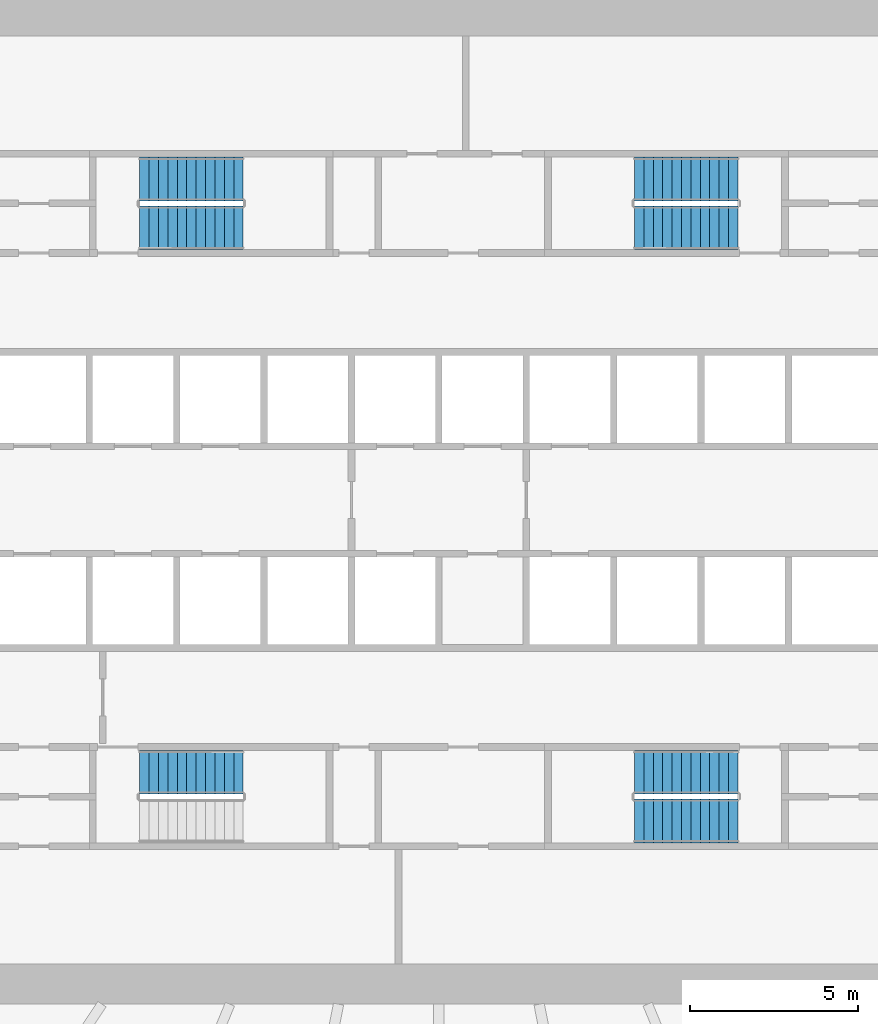
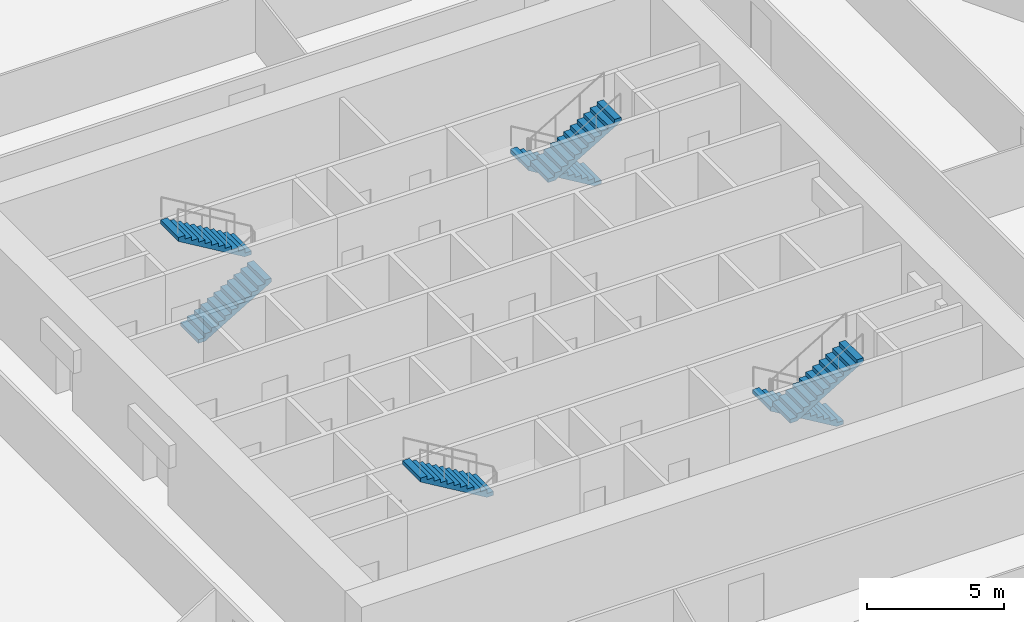
# One storey, part 14 of 15: 7 stair flights, 4 elements without a shape of their own.
"""IFC4 building model written with IfcOpenShell, lengths in metres."""

from ifc_helpers import new_model, si_unit, direction, frame, origin, place, context, subcontext, project, spatial, polyline, outline, extrude, material, type_object, element, aggregate, save


model = new_model("IFC4")

# Units and contexts
model_context = context("Model", 3, precision=1e-05, world=origin(), true_north=direction((0.0, 1.0)))
body_context = subcontext(model_context, "Body", "Model", "MODEL_VIEW")
ifc_project = project(units=[si_unit("LENGTHUNIT", "METRE"), si_unit("AREAUNIT", "SQUARE_METRE"), si_unit("VOLUMEUNIT", "CUBIC_METRE"), si_unit("PLANEANGLEUNIT", "RADIAN"), si_unit("MASSUNIT", "GRAM", prefix="KILO")], contexts=[model_context])

# Site, building, storey
site_placement = place(None, origin())
site = spatial("IfcSite", under=ifc_project, at=site_placement, CompositionType="ELEMENT")
building_placement = place(site_placement, origin())
building = spatial("IfcBuilding", under=site, at=building_placement, Name="Corvane Civic Tower", CompositionType="ELEMENT")
storey_placement = place(building_placement, frame((0.0, 0.0, 41.0)))
storey = spatial("IfcBuildingStorey", under=building, at=storey_placement, Name="L08", CompositionType="ELEMENT", Elevation=41.0)

# Stair, stair flights
ifc_material_1 = material(Name="Concrete C40/50", Category="concrete")
stair_type = type_object("IfcStairType", Name="ST-STAIR-HALFTURN", PredefinedType="HALF_TURN_STAIR", material=ifc_material_1)
stair_1_placement = place(storey_placement, origin())
stair_1 = element("IfcStair", 1, at=stair_1_placement, inside=storey, type_object=stair_type, Name="L08 Exit stair ST1", PredefinedType="HALF_TURN_STAIR")
ifc_material_2 = material(Name="Concrete C40/50", Category="concrete")
stair_flight_type = type_object("IfcStairFlightType", Name="ST-FLIGHT-RC", PredefinedType="STRAIGHT", material=ifc_material_2)
stair_flight_1_placement = place(storey_placement, frame((8.89990234375, 9.550048828125, 0.0), z_axis=(0.0, 0.0, 1.0), x_axis=(-1.0, 0.0, 0.0)))
stair_flight_1 = element("IfcStairFlight", 2, at=stair_flight_1_placement, type_object=stair_flight_type, Name="ST1 flight 1", NumberOfRisers=12, NumberOfTreads=11, PredefinedType="STRAIGHT", RiserHeight=0.166666667, TreadLength=0.28, context=body_context, shape_type="SweptSolid", body=[
    extrude(outline(polyline([(0.0, 0.0), (0.0, 0.166748046875), (0.280029296875, 0.166748046875), (0.280029296875, 0.333251953125), (0.56005859375, 0.333251953125), (0.56005859375, 0.5), (0.840087890625, 0.5), (0.840087890625, 0.666748046875), (1.1201171875, 0.666748046875), (1.1201171875, 0.833251953125), (1.39990234375, 0.833251953125), (1.39990234375, 1.0), (1.679931640625, 1.0), (1.679931640625, 1.166748046875), (1.9599609375, 1.166748046875), (1.9599609375, 1.333251953125), (2.239990234375, 1.333251953125), (2.239990234375, 1.5), (2.52001953125, 1.5), (2.52001953125, 1.666748046875), (2.800048828125, 1.666748046875), (2.800048828125, 1.833251953125), (3.080078125, 1.833251953125), (3.080078125, 2.0), (3.080078125, 1.658935546875), (0.29296875, 0.0), (0.0, 0.0)])), frame((0.0, 0.64990234375, 0.0), z_axis=(0.0, -1.0, 0.0), x_axis=(1.0, 0.0, 0.0)), (0.0, 0.0, 1.0), 1.300048828125),
])
stair_flight_2_placement = place(storey_placement, frame((5.820068359375, 8.10009765625, 2.0), z_axis=(0.0, 0.0, 1.0), x_axis=(1.0, 0.0, 0.0)))
stair_flight_2 = element("IfcStairFlight", 3, at=stair_flight_2_placement, type_object=stair_flight_type, Name="ST1 flight 2", NumberOfRisers=12, NumberOfTreads=11, PredefinedType="STRAIGHT", RiserHeight=0.166666667, TreadLength=0.28, context=body_context, shape_type="SweptSolid", body=[
    extrude(outline(polyline([(0.0, 0.0), (0.0, 0.166748046875), (0.280029296875, 0.166748046875), (0.280029296875, 0.333251953125), (0.56005859375, 0.333251953125), (0.56005859375, 0.5), (0.840087890625, 0.5), (0.840087890625, 0.666748046875), (1.1201171875, 0.666748046875), (1.1201171875, 0.833251953125), (1.39990234375, 0.833251953125), (1.39990234375, 1.0), (1.679931640625, 1.0), (1.679931640625, 1.166748046875), (1.9599609375, 1.166748046875), (1.9599609375, 1.333251953125), (2.239990234375, 1.333251953125), (2.239990234375, 1.5), (2.52001953125, 1.5), (2.52001953125, 1.666748046875), (2.800048828125, 1.666748046875), (2.800048828125, 1.833251953125), (3.080078125, 1.833251953125), (3.080078125, 2.0), (3.080078125, 1.658935546875), (0.29296875, 0.0), (0.0, 0.0)])), frame((0.0, 0.64990234375, 0.0), z_axis=(0.0, -1.0, 0.0), x_axis=(1.0, 0.0, 0.0)), (0.0, 0.0, 1.0), 1.300048828125),
])
aggregate(stair_1, [stair_flight_1, stair_flight_2])

stair_2_placement = place(storey_placement, origin())
stair_2 = element("IfcStair", 4, at=stair_2_placement, inside=storey, type_object=stair_type, Name="L08 Exit stair ST2", PredefinedType="HALF_TURN_STAIR")
stair_flight_3_placement = place(storey_placement, frame((8.89990234375, -8.10009765625, 0.0), z_axis=(0.0, 0.0, 1.0), x_axis=(-1.0, 0.0, 0.0)))
stair_flight_3 = element("IfcStairFlight", 5, at=stair_flight_3_placement, type_object=stair_flight_type, Name="ST2 flight 1", NumberOfRisers=12, NumberOfTreads=11, PredefinedType="STRAIGHT", RiserHeight=0.166666667, TreadLength=0.28, context=body_context, shape_type="SweptSolid", body=[
    extrude(outline(polyline([(0.0, 0.0), (0.0, 0.166748046875), (0.280029296875, 0.166748046875), (0.280029296875, 0.333251953125), (0.56005859375, 0.333251953125), (0.56005859375, 0.5), (0.840087890625, 0.5), (0.840087890625, 0.666748046875), (1.1201171875, 0.666748046875), (1.1201171875, 0.833251953125), (1.39990234375, 0.833251953125), (1.39990234375, 1.0), (1.679931640625, 1.0), (1.679931640625, 1.166748046875), (1.9599609375, 1.166748046875), (1.9599609375, 1.333251953125), (2.239990234375, 1.333251953125), (2.239990234375, 1.5), (2.52001953125, 1.5), (2.52001953125, 1.666748046875), (2.800048828125, 1.666748046875), (2.800048828125, 1.833251953125), (3.080078125, 1.833251953125), (3.080078125, 2.0), (3.080078125, 1.658935546875), (0.29296875, 0.0), (0.0, 0.0)])), frame((0.0, 0.64990234375, 0.0), z_axis=(0.0, -1.0, 0.0), x_axis=(1.0, 0.0, 0.0)), (0.0, 0.0, 1.0), 1.300048828125),
])
stair_flight_4_placement = place(storey_placement, frame((5.820068359375, -9.550048828125, 2.0), z_axis=(0.0, 0.0, 1.0), x_axis=(1.0, 0.0, 0.0)))
stair_flight_4 = element("IfcStairFlight", 6, at=stair_flight_4_placement, type_object=stair_flight_type, Name="ST2 flight 2", NumberOfRisers=12, NumberOfTreads=11, PredefinedType="STRAIGHT", RiserHeight=0.166666667, TreadLength=0.28, context=body_context, shape_type="SweptSolid", body=[
    extrude(outline(polyline([(0.0, 0.0), (0.0, 0.166748046875), (0.280029296875, 0.166748046875), (0.280029296875, 0.333251953125), (0.56005859375, 0.333251953125), (0.56005859375, 0.5), (0.840087890625, 0.5), (0.840087890625, 0.666748046875), (1.1201171875, 0.666748046875), (1.1201171875, 0.833251953125), (1.39990234375, 0.833251953125), (1.39990234375, 1.0), (1.679931640625, 1.0), (1.679931640625, 1.166748046875), (1.9599609375, 1.166748046875), (1.9599609375, 1.333251953125), (2.239990234375, 1.333251953125), (2.239990234375, 1.5), (2.52001953125, 1.5), (2.52001953125, 1.666748046875), (2.800048828125, 1.666748046875), (2.800048828125, 1.833251953125), (3.080078125, 1.833251953125), (3.080078125, 2.0), (3.080078125, 1.658935546875), (0.29296875, 0.0), (0.0, 0.0)])), frame((0.0, 0.64990234375, 0.0), z_axis=(0.0, -1.0, 0.0), x_axis=(1.0, 0.0, 0.0)), (0.0, 0.0, 1.0), 1.300048828125),
])
aggregate(stair_2, [stair_flight_3, stair_flight_4])

# Stair, stair flight
stair_3_placement = place(storey_placement, origin())
stair_3 = element("IfcStair", 7, at=stair_3_placement, inside=storey, type_object=stair_type, Name="L08 Exit stair ST3", PredefinedType="HALF_TURN_STAIR")
stair_flight_5_placement = place(storey_placement, frame((-5.820068359375, -8.10009765625, 2.0), z_axis=(0.0, 0.0, 1.0), x_axis=(-1.0, 0.0, 0.0)))
stair_flight_5 = element("IfcStairFlight", 8, at=stair_flight_5_placement, type_object=stair_flight_type, Name="ST3 flight 2", NumberOfRisers=12, NumberOfTreads=11, PredefinedType="STRAIGHT", RiserHeight=0.166666667, TreadLength=0.28, context=body_context, shape_type="SweptSolid", body=[
    extrude(outline(polyline([(0.0, 0.0), (0.0, 0.166748046875), (0.280029296875, 0.166748046875), (0.280029296875, 0.333251953125), (0.56005859375, 0.333251953125), (0.56005859375, 0.5), (0.840087890625, 0.5), (0.840087890625, 0.666748046875), (1.1201171875, 0.666748046875), (1.1201171875, 0.833251953125), (1.39990234375, 0.833251953125), (1.39990234375, 1.0), (1.679931640625, 1.0), (1.679931640625, 1.166748046875), (1.9599609375, 1.166748046875), (1.9599609375, 1.333251953125), (2.239990234375, 1.333251953125), (2.239990234375, 1.5), (2.52001953125, 1.5), (2.52001953125, 1.666748046875), (2.800048828125, 1.666748046875), (2.800048828125, 1.833251953125), (3.080078125, 1.833251953125), (3.080078125, 2.0), (3.080078125, 1.658935546875), (0.29296875, 0.0), (0.0, 0.0)])), frame((0.0, 0.64990234375, 0.0), z_axis=(0.0, -1.0, 0.0), x_axis=(1.0, 0.0, 0.0)), (0.0, 0.0, 1.0), 1.300048828125),
])
aggregate(stair_3, [stair_flight_5])

# Stair, stair flights
stair_4_placement = place(storey_placement, origin())
stair_4 = element("IfcStair", 9, at=stair_4_placement, inside=storey, type_object=stair_type, Name="L08 Exit stair ST4", PredefinedType="HALF_TURN_STAIR")
stair_flight_6_placement = place(storey_placement, frame((-8.89990234375, 8.10009765625, 0.0), z_axis=(0.0, 0.0, 1.0), x_axis=(1.0, 0.0, 0.0)))
stair_flight_6 = element("IfcStairFlight", 10, at=stair_flight_6_placement, type_object=stair_flight_type, Name="ST4 flight 1", NumberOfRisers=12, NumberOfTreads=11, PredefinedType="STRAIGHT", RiserHeight=0.166666667, TreadLength=0.28, context=body_context, shape_type="SweptSolid", body=[
    extrude(outline(polyline([(0.0, 0.0), (0.0, 0.166748046875), (0.280029296875, 0.166748046875), (0.280029296875, 0.333251953125), (0.56005859375, 0.333251953125), (0.56005859375, 0.5), (0.840087890625, 0.5), (0.840087890625, 0.666748046875), (1.1201171875, 0.666748046875), (1.1201171875, 0.833251953125), (1.39990234375, 0.833251953125), (1.39990234375, 1.0), (1.679931640625, 1.0), (1.679931640625, 1.166748046875), (1.9599609375, 1.166748046875), (1.9599609375, 1.333251953125), (2.239990234375, 1.333251953125), (2.239990234375, 1.5), (2.52001953125, 1.5), (2.52001953125, 1.666748046875), (2.800048828125, 1.666748046875), (2.800048828125, 1.833251953125), (3.080078125, 1.833251953125), (3.080078125, 2.0), (3.080078125, 1.658935546875), (0.29296875, 0.0), (0.0, 0.0)])), frame((0.0, 0.64990234375, 0.0), z_axis=(0.0, -1.0, 0.0), x_axis=(1.0, 0.0, 0.0)), (0.0, 0.0, 1.0), 1.300048828125),
])
stair_flight_7_placement = place(storey_placement, frame((-5.820068359375, 9.550048828125, 2.0), z_axis=(0.0, 0.0, 1.0), x_axis=(-1.0, 0.0, 0.0)))
stair_flight_7 = element("IfcStairFlight", 11, at=stair_flight_7_placement, type_object=stair_flight_type, Name="ST4 flight 2", NumberOfRisers=12, NumberOfTreads=11, PredefinedType="STRAIGHT", RiserHeight=0.166666667, TreadLength=0.28, context=body_context, shape_type="SweptSolid", body=[
    extrude(outline(polyline([(0.0, 0.0), (0.0, 0.166748046875), (0.280029296875, 0.166748046875), (0.280029296875, 0.333251953125), (0.56005859375, 0.333251953125), (0.56005859375, 0.5), (0.840087890625, 0.5), (0.840087890625, 0.666748046875), (1.1201171875, 0.666748046875), (1.1201171875, 0.833251953125), (1.39990234375, 0.833251953125), (1.39990234375, 1.0), (1.679931640625, 1.0), (1.679931640625, 1.166748046875), (1.9599609375, 1.166748046875), (1.9599609375, 1.333251953125), (2.239990234375, 1.333251953125), (2.239990234375, 1.5), (2.52001953125, 1.5), (2.52001953125, 1.666748046875), (2.800048828125, 1.666748046875), (2.800048828125, 1.833251953125), (3.080078125, 1.833251953125), (3.080078125, 2.0), (3.080078125, 1.658935546875), (0.29296875, 0.0), (0.0, 0.0)])), frame((0.0, 0.64990234375, 0.0), z_axis=(0.0, -1.0, 0.0), x_axis=(1.0, 0.0, 0.0)), (0.0, 0.0, 1.0), 1.300048828125),
])
aggregate(stair_4, [stair_flight_6, stair_flight_7])

save(model, "model.ifc")
